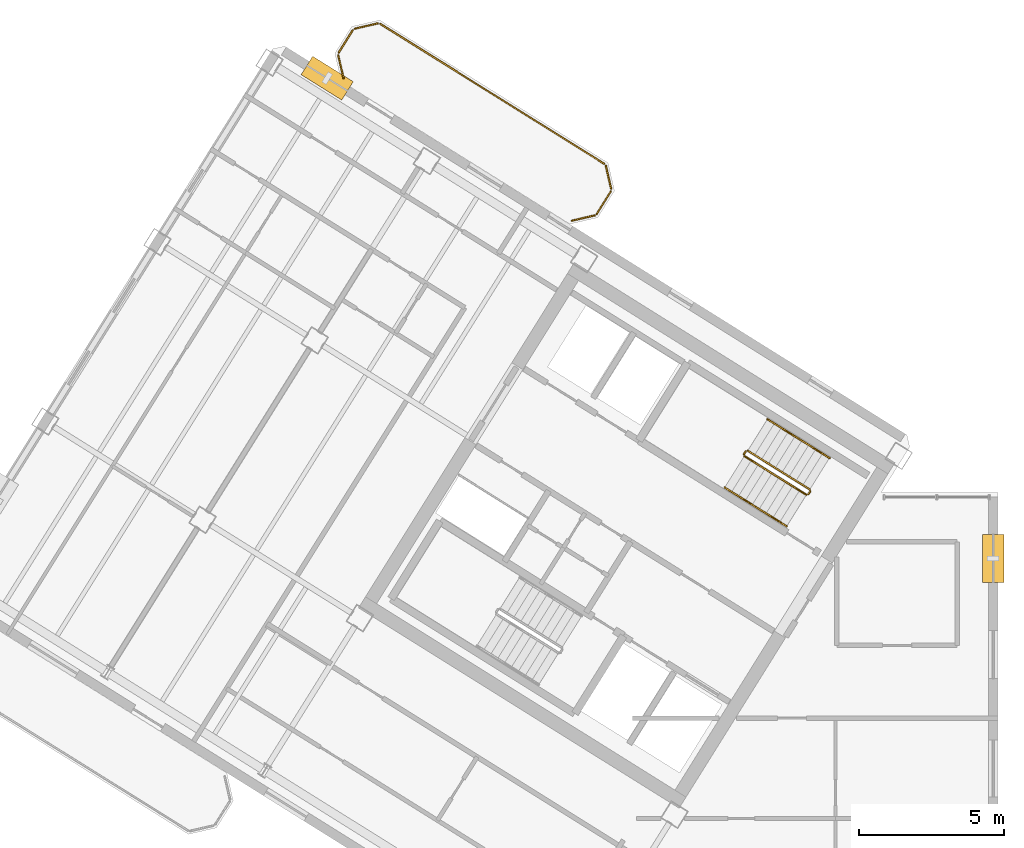
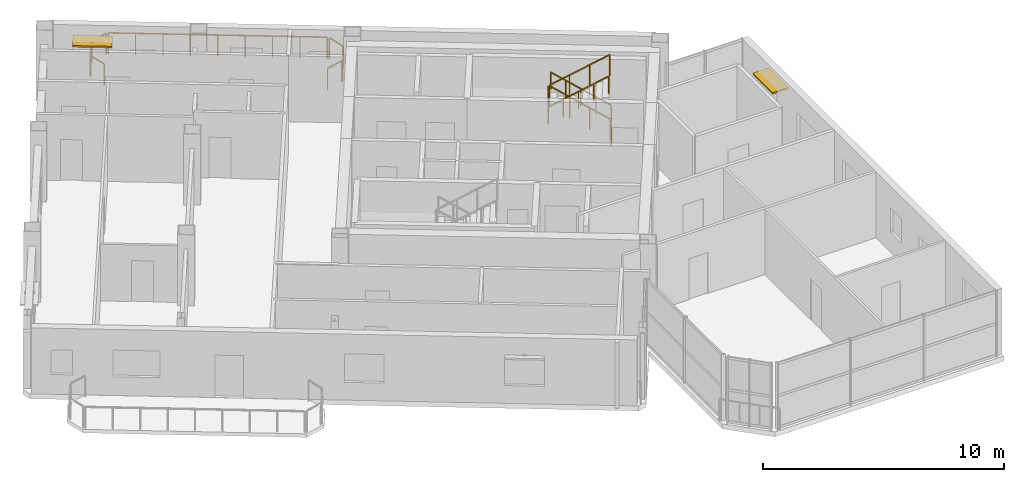
# One storey, part 12 of 12: 15 railings, 2 shading devices.
"""IFC4 building model written with IfcOpenShell, lengths in metres."""

from ifc_helpers import new_model, si_unit, direction, frame, origin, origin_2d, place, context, subcontext, project, spatial, rectangle, extrude, source, transform, mapped, material, layer, layer_set, type_object, element, save


model = new_model("IFC4")

# Units and contexts
model_context = context("Model", 3, precision=1e-05, world=origin(), true_north=direction((0.0, 1.0)))
body_context = subcontext(model_context, "Body", "Model", "MODEL_VIEW")
ifc_project = project(units=[si_unit("LENGTHUNIT", "METRE"), si_unit("AREAUNIT", "SQUARE_METRE"), si_unit("VOLUMEUNIT", "CUBIC_METRE"), si_unit("PLANEANGLEUNIT", "RADIAN"), si_unit("MASSUNIT", "GRAM", prefix="KILO")], contexts=[model_context])

# Site, building, storey
site_placement = place(None, origin())
site = spatial("IfcSite", under=ifc_project, at=site_placement, CompositionType="ELEMENT")
building_placement = place(site_placement, origin())
building = spatial("IfcBuilding", under=site, at=building_placement, Name="Tlacorven Tower", CompositionType="ELEMENT")
storey_placement = place(building_placement, frame((0.0, 0.0, 288.0)))
storey = spatial("IfcBuildingStorey", under=building, at=storey_placement, Name="L73", CompositionType="ELEMENT", Elevation=288.0)

# Railings
ifc_material_1 = material(Name="Aluminium and painted steel balustrade", Category="steel")
railing_type_1 = type_object("IfcRailingType", Name="RL-BAL-1100", PredefinedType="BALUSTRADE", material=ifc_material_1)
shared_shape_1 = source(origin(), body_context, "Body", "SweptSolid", [
    extrude(rectangle(XDim=0.048095703125, YDim=0.048095703125, at=origin_2d()), frame((0.0, 0.0, 1.076171875), z_axis=(0.225058334816, -0.974345290916, 0.0), x_axis=(0.974345290916, 0.225058334816, 0.0)), (0.0, 0.0, 1.0), 0.80712890625),
    extrude(rectangle(XDim=0.0419921875, YDim=0.0419921875, at=origin_2d()), origin(), (0.0, 0.0, 1.0), 1.052001953125),
    extrude(rectangle(XDim=0.0419921875, YDim=0.0419921875, at=origin_2d()), frame((0.181640625, -0.786376953125, 0.0)), (0.0, 0.0, 1.0), 1.052001953125),
])
railing_1_placement = place(storey_placement, frame((30.6796875, 34.466064453125, 0.0)))
element("IfcRailing", 1, at=railing_1_placement, inside=storey, type_object=railing_type_1, Name="BAL-L73-W-IN Guard Railing 1", PredefinedType="BALUSTRADE", context=body_context, shape_type="MappedRepresentation", body=[
    mapped(shared_shape_1, transform((0.0, 0.0, 0.0), scale=1.0)),
])
shared_shape_2 = source(origin(), body_context, "Body", "SweptSolid", [
    extrude(rectangle(XDim=0.048095703125, YDim=0.048095703125, at=origin_2d()), frame((0.0, 0.0, 1.076171875), z_axis=(-0.52987865805, -0.848073468364, 0.0), x_axis=(0.848073468364, -0.52987865805, 0.0)), (0.0, 0.0, 1.0), 0.912353515625),
    extrude(rectangle(XDim=0.0419921875, YDim=0.0419921875, at=origin_2d()), origin(), (0.0, 0.0, 1.0), 1.052001953125),
    extrude(rectangle(XDim=0.0419921875, YDim=0.0419921875, at=origin_2d()), frame((-0.4833984375, -0.773681640625, 0.0)), (0.0, 0.0, 1.0), 1.052001953125),
])
railing_2_placement = place(storey_placement, frame((30.845947265625, 33.588623046875, 0.0)))
element("IfcRailing", 2, at=railing_2_placement, inside=storey, type_object=railing_type_1, Name="BAL-L73-W-IN Guard Railing 2", PredefinedType="BALUSTRADE", context=body_context, shape_type="MappedRepresentation", body=[
    mapped(shared_shape_2, transform((0.0, 0.0, 0.0), scale=1.0)),
])
shared_shape_3 = source(origin(), body_context, "Body", "SweptSolid", [
    extrude(rectangle(XDim=0.048095703125, YDim=0.048095703125, at=origin_2d()), frame((0.0, 0.0, 1.076171875), z_axis=(-0.225058334816, 0.974345290916, 0.0), x_axis=(-0.974345290916, -0.225058334816, 0.0)), (0.0, 0.0, 1.0), 0.80712890625),
    extrude(rectangle(XDim=0.0419921875, YDim=0.0419921875, at=origin_2d()), origin(), (0.0, 0.0, 1.0), 1.052001953125),
    extrude(rectangle(XDim=0.0419921875, YDim=0.0419921875, at=origin_2d()), frame((-0.181640625, 0.786376953125, 0.0)), (0.0, 0.0, 1.0), 1.052001953125),
])
railing_3_placement = place(storey_placement, frame((21.62451171875, 37.501708984375, 0.0)))
element("IfcRailing", 3, at=railing_3_placement, inside=storey, type_object=railing_type_1, Name="BAL-L73-W-IN Guard Railing 4", PredefinedType="BALUSTRADE", context=body_context, shape_type="MappedRepresentation", body=[
    mapped(shared_shape_3, transform((0.0, 0.0, 0.0), scale=1.0)),
])
shared_shape_4 = source(origin(), body_context, "Body", "SweptSolid", [
    extrude(rectangle(XDim=0.048095703125, YDim=0.048095703125, at=origin_2d()), frame((0.0, 0.0, 1.076171875), z_axis=(0.52987865805, 0.848073468364, 0.0), x_axis=(-0.848073468364, 0.52987865805, 0.0)), (0.0, 0.0, 1.0), 0.912353515625),
    extrude(rectangle(XDim=0.0419921875, YDim=0.0419921875, at=origin_2d()), origin(), (0.0, 0.0, 1.0), 1.052001953125),
    extrude(rectangle(XDim=0.0419921875, YDim=0.0419921875, at=origin_2d()), frame((0.4833984375, 0.773681640625, 0.0)), (0.0, 0.0, 1.0), 1.052001953125),
])
railing_4_placement = place(storey_placement, frame((21.4580078125, 38.379150390625, 0.0)))
element("IfcRailing", 4, at=railing_4_placement, inside=storey, type_object=railing_type_1, Name="BAL-L73-W-IN Guard Railing 5", PredefinedType="BALUSTRADE", context=body_context, shape_type="MappedRepresentation", body=[
    mapped(shared_shape_4, transform((0.0, 0.0, 0.0), scale=1.0)),
])
shared_shape_5 = source(origin(), body_context, "Body", "SweptSolid", [
    extrude(rectangle(XDim=0.048095703125, YDim=0.048095703125, at=origin_2d()), frame((0.0, 0.0, 1.076171875), z_axis=(-0.974345290916, -0.225058334816, 0.0), x_axis=(0.225058334816, -0.974345290916, 0.0)), (0.0, 0.0, 1.0), 0.80712890625),
    extrude(rectangle(XDim=0.0419921875, YDim=0.0419921875, at=origin_2d()), origin(), (0.0, 0.0, 1.0), 1.052001953125),
    extrude(rectangle(XDim=0.0419921875, YDim=0.0419921875, at=origin_2d()), frame((-0.786376953125, -0.181640625, 0.0)), (0.0, 0.0, 1.0), 1.052001953125),
])
railing_5_placement = place(storey_placement, frame((30.287353515625, 32.761474609375, 0.0)))
element("IfcRailing", 5, at=railing_5_placement, inside=storey, type_object=railing_type_1, Name="BAL-L73-W-IN Guard Railing 3", PredefinedType="BALUSTRADE", context=body_context, shape_type="MappedRepresentation", body=[
    mapped(shared_shape_5, transform((0.0, 0.0, 0.0), scale=1.0)),
])

# Shading devices
ifc_material_2 = material(Name="Anodised bronze aluminium sunshade", Category="aluminium")
ifc_layer = layer(ifc_material_2, 0.080078125)
ifc_layer_set = layer_set([ifc_layer], Name="Anodised bronze aluminium sunshade")
shading_device_type = type_object("IfcShadingDeviceType", Name="SH-SUN-BRZ", PredefinedType="AWNING", material=ifc_layer_set)
shared_shape_6 = source(origin(), body_context, "Body", "SweptSolid", [
    extrude(rectangle(XDim=1.64990234375, YDim=0.75, at=origin_2d()), origin(), (0.0, 0.0, 1.0), 0.080078125),
])
for number, where, z_axis, x_axis, name in (
    (6, (44.0400390625, 20.929931640625, 2.369873046875), (0.0, 0.0, 1.0), (0.0, -1.0, 0.0), "L73 Solar Brise-Soleil Sunshade L73-01.1"),
    (7, (21.062255859375, 37.498779296875, 2.369873046875), (0.0, 0.0, 1.0), (0.848048223032, -0.52991906119, 0.0), "L73 Solar Brise-Soleil Sunshade L73-04.1"),
):
    element("IfcShadingDevice", number, at=place(storey_placement, frame(where, z_axis=z_axis, x_axis=x_axis)), inside=storey, type_object=shading_device_type, Name=name, PredefinedType="AWNING", context=body_context, shape_type="MappedRepresentation", body=[
        mapped(shared_shape_6, transform((0.0, 0.0, 0.0), scale=1.0)),
    ])

# Railings
shared_shape_7 = source(origin(), body_context, "Body", "SweptSolid", [
    extrude(rectangle(XDim=0.048095703125, YDim=0.048095703125, at=origin_2d()), frame((0.0, 0.0, 1.076171875), z_axis=(0.974360606036, 0.224992020761, 0.0), x_axis=(-0.224992020761, 0.974360606036, 0.0)), (0.0, 0.0, 1.0), 0.807373046875),
    extrude(rectangle(XDim=0.0419921875, YDim=0.0419921875, at=origin_2d()), origin(), (0.0, 0.0, 1.0), 1.052001953125),
    extrude(rectangle(XDim=0.0419921875, YDim=0.0419921875, at=origin_2d()), frame((0.78662109375, 0.181640625, 0.0)), (0.0, 0.0, 1.0), 1.052001953125),
])
railing_6_placement = place(storey_placement, frame((22.0166015625, 39.206298828125, 0.0)))
element("IfcRailing", 8, at=railing_6_placement, inside=storey, type_object=railing_type_1, Name="BAL-L73-W-IN Guard Railing 6", PredefinedType="BALUSTRADE", context=body_context, shape_type="MappedRepresentation", body=[
    mapped(shared_shape_7, transform((0.0, 0.0, 0.0), scale=1.0)),
])
shared_shape_8 = source(origin(), body_context, "Body", "SweptSolid", [
    extrude(rectangle(XDim=0.048095703125, YDim=0.048095703125, at=origin_2d()), frame((0.0, 0.0, 1.076171875), z_axis=(0.848035911573, -0.529938763144, 0.0), x_axis=(0.529938763144, 0.848035911573, 0.0)), (0.0, 0.0, 1.0), 9.1171875),
    extrude(rectangle(XDim=0.0419921875, YDim=0.0419921875, at=origin_2d()), origin(), (0.0, 0.0, 1.0), 1.052001953125),
    extrude(rectangle(XDim=0.0419921875, YDim=0.0419921875, at=origin_2d()), frame((0.966552734375, -0.60400390625, 0.0)), (0.0, 0.0, 1.0), 1.052001953125),
    extrude(rectangle(XDim=0.0419921875, YDim=0.0419921875, at=origin_2d()), frame((1.932861328125, -1.2080078125, 0.0)), (0.0, 0.0, 1.0), 1.052001953125),
    extrude(rectangle(XDim=0.0419921875, YDim=0.0419921875, at=origin_2d()), frame((2.8994140625, -1.811767578125, 0.0)), (0.0, 0.0, 1.0), 1.052001953125),
    extrude(rectangle(XDim=0.0419921875, YDim=0.0419921875, at=origin_2d()), frame((3.86572265625, -2.415771484375, 0.0)), (0.0, 0.0, 1.0), 1.052001953125),
    extrude(rectangle(XDim=0.0419921875, YDim=0.0419921875, at=origin_2d()), frame((4.832275390625, -3.019775390625, 0.0)), (0.0, 0.0, 1.0), 1.052001953125),
    extrude(rectangle(XDim=0.0419921875, YDim=0.0419921875, at=origin_2d()), frame((5.798828125, -3.62353515625, 0.0)), (0.0, 0.0, 1.0), 1.052001953125),
    extrude(rectangle(XDim=0.0419921875, YDim=0.0419921875, at=origin_2d()), frame((6.76513671875, -4.2275390625, 0.0)), (0.0, 0.0, 1.0), 1.052001953125),
    extrude(rectangle(XDim=0.0419921875, YDim=0.0419921875, at=origin_2d()), frame((7.731689453125, -4.83154296875, 0.0)), (0.0, 0.0, 1.0), 1.052001953125),
])
railing_7_placement = place(storey_placement, frame((22.894287109375, 39.372802734375, 0.0)))
element("IfcRailing", 9, at=railing_7_placement, inside=storey, type_object=railing_type_1, Name="BAL-L73-W-IN Guard Railing 7", PredefinedType="BALUSTRADE", context=body_context, shape_type="MappedRepresentation", body=[
    mapped(shared_shape_8, transform((0.0, 0.0, 0.0), scale=1.0)),
])
railing_type_2 = type_object("IfcRailingType", Name="RL-GRD-1100", PredefinedType="GUARDRAIL", material=ifc_material_1)
shared_shape_9 = source(origin(), body_context, "Body", "SweptSolid", [
    extrude(rectangle(XDim=0.048095703125, YDim=0.048095703125, at=origin_2d()), frame((0.0, 0.0, 1.076171875), z_axis=(-0.713319727316, 0.445773895627, 0.540796265334), x_axis=(-0.529955395941, -0.84802551749, 0.0)), (0.0, 0.0, 1.0), 2.995849609375),
    extrude(rectangle(XDim=0.0419921875, YDim=0.0419921875, at=origin_2d()), origin(), (0.0, 0.0, 1.0), 1.052001953125),
    extrude(rectangle(XDim=0.0419921875, YDim=0.0419921875, at=origin_2d()), frame((-0.71240234375, 0.445068359375, 0.5400390625)), (0.0, 0.0, 1.0), 1.052001953125),
    extrude(rectangle(XDim=0.0419921875, YDim=0.0419921875, at=origin_2d()), frame((-1.424560546875, 0.890380859375, 1.080078125)), (0.0, 0.0, 1.0), 1.052001953125),
    extrude(rectangle(XDim=0.0419921875, YDim=0.0419921875, at=origin_2d()), frame((-2.136962890625, 1.33544921875, 1.6201171875)), (0.0, 0.0, 1.0), 1.052001953125),
])
railing_8_placement = place(storey_placement, frame((37.712158203125, 23.3095703125, 0.179931640625)))
element("IfcRailing", 10, at=railing_8_placement, inside=storey, type_object=railing_type_2, Name="L73 ST-W2 stair guard 1", PredefinedType="GUARDRAIL", context=body_context, shape_type="MappedRepresentation", body=[
    mapped(shared_shape_9, transform((0.0, 0.0, 0.0), scale=1.0)),
])
shared_shape_10 = source(origin(), body_context, "Body", "SweptSolid", [
    extrude(rectangle(XDim=0.048095703125, YDim=0.048095703125, at=origin_2d()), frame((0.0, 0.0, 1.076171875), z_axis=(-0.530546985787, -0.847655529016, 0.0), x_axis=(0.847655529016, -0.530546985787, 0.0)), (0.0, 0.0, 1.0), 0.1201171875),
    extrude(rectangle(XDim=0.0419921875, YDim=0.0419921875, at=origin_2d()), origin(), (0.0, 0.0, 1.0), 1.052001953125),
    extrude(rectangle(XDim=0.0419921875, YDim=0.0419921875, at=origin_2d()), frame((-0.063720703125, -0.101806640625, 0.0)), (0.0, 0.0, 1.0), 1.052001953125),
])
railing_9_placement = place(storey_placement, frame((37.728271484375, 23.24072265625, 0.0)))
element("IfcRailing", 11, at=railing_9_placement, inside=storey, type_object=railing_type_2, Name="L73 ST-W2 stair guard 4", PredefinedType="GUARDRAIL", context=body_context, shape_type="MappedRepresentation", body=[
    mapped(shared_shape_10, transform((0.0, 0.0, 0.0), scale=1.0)),
])
railing_type_3 = type_object("IfcRailingType", Name="RL-HND-0900", PredefinedType="HANDRAIL", material=ifc_material_1)
shared_shape_11 = source(origin(), body_context, "Body", "SweptSolid", [
    extrude(rectangle(XDim=0.048095703125, YDim=0.048095703125, at=origin_2d()), frame((0.0, 0.0, 0.8759765625), z_axis=(-0.713359751793, 0.4457479829, 0.540764828981), x_axis=(-0.529911857636, -0.848052724267, 0.0)), (0.0, 0.0, 1.0), 1.498046875),
    extrude(rectangle(XDim=0.0419921875, YDim=0.0419921875, at=origin_2d()), origin(), (0.0, 0.0, 1.0), 0.851806640625),
    extrude(rectangle(XDim=0.0419921875, YDim=0.0419921875, at=origin_2d()), frame((-0.5341796875, 0.333984375, 0.405029296875)), (0.0, 0.0, 1.0), 0.851806640625),
    extrude(rectangle(XDim=0.0419921875, YDim=0.0419921875, at=origin_2d()), frame((-1.068603515625, 0.667724609375, 0.81005859375)), (0.0, 0.0, 1.0), 0.851806640625),
])
for number, where, name in (
    (12, (38.390625, 24.39501953125, 0.179931640625), "L73 ST-W2 stair handrail 1"),
    (13, (37.322021484375, 25.062744140625, 0.989990234375), "L73 ST-W2 stair handrail 2"),
):
    element("IfcRailing", number, at=place(storey_placement, frame(where)), inside=storey, type_object=railing_type_3, Name=name, PredefinedType="HANDRAIL", context=body_context, shape_type="MappedRepresentation", body=[
        mapped(shared_shape_11, transform((0.0, 0.0, 0.0), scale=1.0)),
    ])
shared_shape_12 = source(origin(), body_context, "Body", "SweptSolid", [
    extrude(rectangle(XDim=0.048095703125, YDim=0.048095703125, at=origin_2d()), frame((0.0, 0.0, 0.8759765625), z_axis=(0.713359751793, -0.4457479829, 0.540764828981), x_axis=(0.529911857636, 0.848052724267, 0.0)), (0.0, 0.0, 1.0), 1.498046875),
    extrude(rectangle(XDim=0.0419921875, YDim=0.0419921875, at=origin_2d()), origin(), (0.0, 0.0, 1.0), 0.851806640625),
    extrude(rectangle(XDim=0.0419921875, YDim=0.0419921875, at=origin_2d()), frame((0.5341796875, -0.333984375, 0.405029296875)), (0.0, 0.0, 1.0), 0.851806640625),
    extrude(rectangle(XDim=0.0419921875, YDim=0.0419921875, at=origin_2d()), frame((1.068603515625, -0.667724609375, 0.81005859375)), (0.0, 0.0, 1.0), 0.851806640625),
])
for number, where, name in (
    (14, (34.7802734375, 23.372802734375, 1.97998046875), "L73 ST-W2 stair handrail 3"),
    (15, (35.848876953125, 22.705078125, 2.7900390625), "L73 ST-W2 stair handrail 4"),
):
    element("IfcRailing", number, at=place(storey_placement, frame(where)), inside=storey, type_object=railing_type_3, Name=name, PredefinedType="HANDRAIL", context=body_context, shape_type="MappedRepresentation", body=[
        mapped(shared_shape_12, transform((0.0, 0.0, 0.0), scale=1.0)),
    ])
shared_shape_13 = source(origin(), body_context, "Body", "SweptSolid", [
    extrude(rectangle(XDim=0.048095703125, YDim=0.048095703125, at=origin_2d()), frame((0.0, 0.0, 1.076171875), z_axis=(-0.531462422766, -0.847081869236, 0.0), x_axis=(0.847081869236, -0.531462422766, 0.0)), (0.0, 0.0, 1.0), 0.119873046875),
    extrude(rectangle(XDim=0.0419921875, YDim=0.0419921875, at=origin_2d()), origin(), (0.0, 0.0, 1.0), 1.052001953125),
    extrude(rectangle(XDim=0.0419921875, YDim=0.0419921875, at=origin_2d()), frame((-0.063720703125, -0.1015625, 0.0)), (0.0, 0.0, 1.0), 1.052001953125),
])
railing_10_placement = place(storey_placement, frame((35.50634765625, 24.62890625, 1.800048828125)))
element("IfcRailing", 16, at=railing_10_placement, inside=storey, type_object=railing_type_2, Name="L73 ST-W2 stair guard 2", PredefinedType="GUARDRAIL", context=body_context, shape_type="MappedRepresentation", body=[
    mapped(shared_shape_13, transform((0.0, 0.0, 0.0), scale=1.0)),
])
shared_shape_14 = source(origin(), body_context, "Body", "SweptSolid", [
    extrude(rectangle(XDim=0.048095703125, YDim=0.048095703125, at=origin_2d()), frame((0.0, 0.0, 1.076171875), z_axis=(0.713385662783, -0.445682681033, 0.540784470897), x_axis=(0.52984217967, 0.848096259066, 0.0)), (0.0, 0.0, 1.0), 2.995849609375),
    extrude(rectangle(XDim=0.0419921875, YDim=0.0419921875, at=origin_2d()), origin(), (0.0, 0.0, 1.0), 1.052001953125),
    extrude(rectangle(XDim=0.0419921875, YDim=0.0419921875, at=origin_2d()), frame((0.71240234375, -0.445068359375, 0.5400390625)), (0.0, 0.0, 1.0), 1.052001953125),
    extrude(rectangle(XDim=0.0419921875, YDim=0.0419921875, at=origin_2d()), frame((1.4248046875, -0.89013671875, 1.080078125)), (0.0, 0.0, 1.0), 1.052001953125),
    extrude(rectangle(XDim=0.0419921875, YDim=0.0419921875, at=origin_2d()), frame((2.13720703125, -1.335205078125, 1.6201171875)), (0.0, 0.0, 1.0), 1.052001953125),
])
railing_11_placement = place(storey_placement, frame((35.45849609375, 24.458251953125, 1.97998046875)))
element("IfcRailing", 17, at=railing_11_placement, inside=storey, type_object=railing_type_2, Name="L73 ST-W2 stair guard 3", PredefinedType="GUARDRAIL", context=body_context, shape_type="MappedRepresentation", body=[
    mapped(shared_shape_14, transform((0.0, 0.0, 0.0), scale=1.0)),
])

save(model, "model.ifc")
